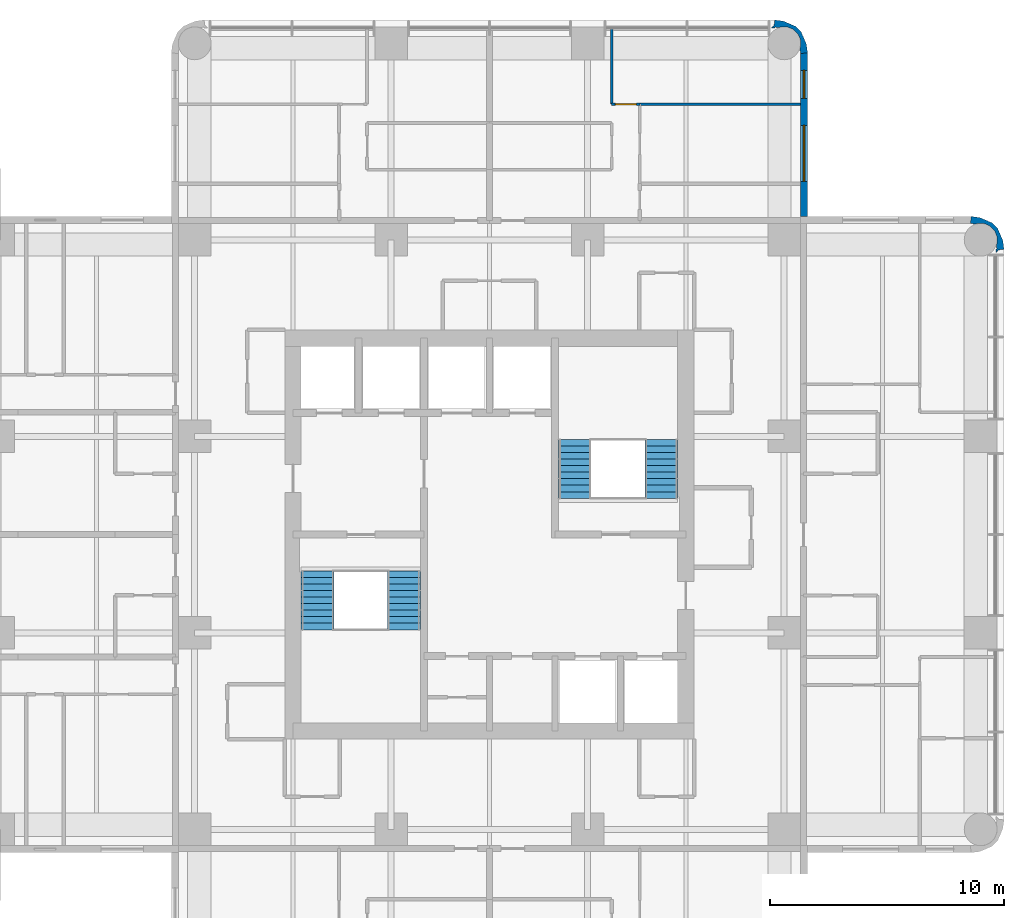
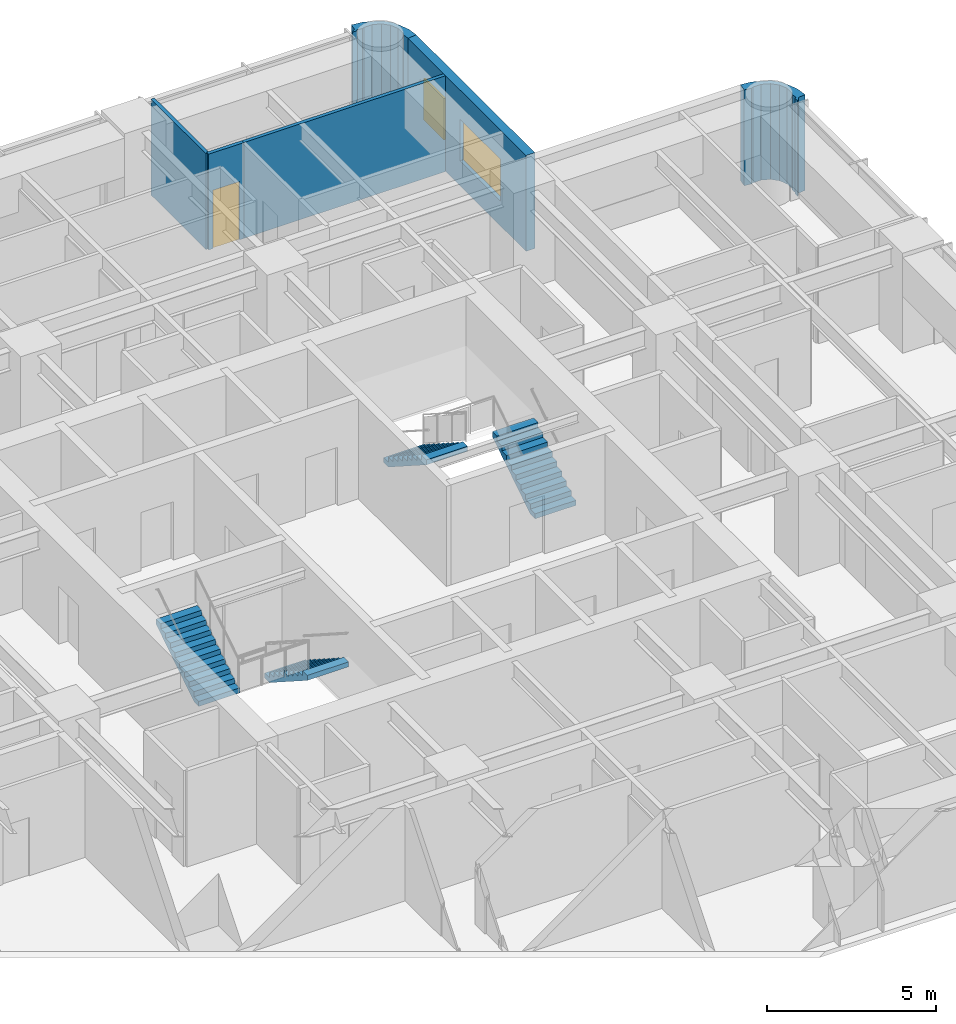
# One storey, part 10 of 11: 6 walls, 4 stair flights, 2 windows, 1 door, 3 openings, 2 elements without a shape of their own.
"""IFC4 building model written with IfcOpenShell, lengths in metres."""

from ifc_helpers import new_model, si_unit, direction, frame, frame_2d, origin, place, context, subcontext, project, spatial, polyline, rectangle, outline, extrude, material, layer, layer_set, type_object, element, fill, aggregate, save


model = new_model("IFC4")

# Units and contexts
model_context = context("Model", 3, precision=1e-05, world=origin(), true_north=direction((0.0, 1.0)))
body_context = subcontext(model_context, "Body", "Model", "MODEL_VIEW")
ifc_project = project(units=[si_unit("LENGTHUNIT", "METRE"), si_unit("AREAUNIT", "SQUARE_METRE"), si_unit("VOLUMEUNIT", "CUBIC_METRE"), si_unit("PLANEANGLEUNIT", "RADIAN"), si_unit("MASSUNIT", "GRAM", prefix="KILO")], contexts=[model_context])

# Site, building, storey
site_placement = place(None, origin())
site = spatial("IfcSite", under=ifc_project, at=site_placement, CompositionType="ELEMENT")
building_placement = place(site_placement, origin())
building = spatial("IfcBuilding", under=site, at=building_placement, Name="Torre Alcanfor", CompositionType="ELEMENT")
storey_placement = place(building_placement, frame((0.0, 0.0, 215.699951171875)))
storey = spatial("IfcBuildingStorey", under=building, at=storey_placement, Name="L56", CompositionType="ELEMENT", Elevation=215.699951171875)

# Wall
ifc_material_1 = material(Name="Gypsum board on steel studs", Category="steel")
ifc_layer_1 = layer(ifc_material_1, 0.1201171875)
ifc_layer_set_1 = layer_set([ifc_layer_1], Name="Apartment partition 120")
wall_type_1 = type_object("IfcWallType", Name="Apartment partition 120", PredefinedType="PARTITIONING", material=ifc_layer_set_1)
wall_1_placement = place(storey_placement, frame((34.62890625, 51.050048828125, 0.0), z_axis=(0.0, 0.0, 1.0), x_axis=(0.0, -1.0, 0.0)))
element("IfcWall", 1, at=wall_1_placement, inside=storey, type_object=wall_type_1, Name="Partition L56-N2-LIVING / L56-N2-MASTER", PredefinedType="PARTITIONING", context=body_context, shape_type="SweptSolid", body=[
    extrude(rectangle(XDim=3.25, YDim=0.1201171875, at=frame_2d((1.625, 0.0))), origin(), (0.0, 0.0, 1.0), 3.449951171875),
])

# Wall, opening, door
wall_2_placement = place(storey_placement, frame((34.62890625, 47.800048828125, 0.0), z_axis=(0.0, 0.0, 1.0), x_axis=(1.0, 0.0, 0.0)))
wall_2 = element("IfcWall", 2, at=wall_2_placement, inside=storey, type_object=wall_type_1, Name="Partition L56-N2-LIVING / L56-N2-MASTER", PredefinedType="PARTITIONING", context=body_context, shape_type="SweptSolid", body=[
    extrude(rectangle(XDim=1.2001953125, YDim=0.1201171875, at=frame_2d((0.60009765625, 0.0))), origin(), (0.0, 0.0, 1.0), 3.449951171875),
])
opening_1_placement = place(wall_2_placement, frame((0.15087890625, 0.0, 0.0)))
opening_1 = element("IfcOpeningElement", 3, at=opening_1_placement, cuts=wall_2, Name="Opening D-R1", PredefinedType="OPENING", context=body_context, shape_type="SweptSolid", body=[
    extrude(rectangle(XDim=0.89990234375, YDim=2.10009765625, at=frame_2d((0.449951171875, 1.050048828125))), frame((0.0, 0.070068359375, 0.0), z_axis=(0.0, -1.0, 0.0), x_axis=(1.0, 0.0, 0.0)), (0.0, 0.0, 1.0), 0.14013671875),
])
ifc_material_2 = material(Name="Timber", Category="wood")
door_type = type_object("IfcDoorType", Name="Internal door 900x2100", OperationType="SINGLE_SWING_LEFT", PredefinedType="DOOR", material=ifc_material_2)
door_placement = place(opening_1_placement, origin())
door = element("IfcDoor", 4, at=door_placement, inside=storey, type_object=door_type, Name="Door L56-N2 master", OperationType="SINGLE_SWING_LEFT", OverallHeight=2.10009765625, OverallWidth=0.89990234375, PredefinedType="DOOR", context=body_context, shape_type="SweptSolid", body=[
    extrude(rectangle(XDim=0.89990234375, YDim=2.10009765625, at=frame_2d((0.449951171875, 1.050048828125))), frame((0.0, 0.02490234375, 0.0), z_axis=(0.0, -1.0, 0.0), x_axis=(1.0, 0.0, 0.0)), (0.0, 0.0, 1.0), 0.050048828125),
])
fill(opening_1, door)

# Wall
wall_3_placement = place(storey_placement, frame((35.8291015625, 47.800048828125, 0.0), z_axis=(0.0, 0.0, 1.0), x_axis=(1.0, 0.0, 0.0)))
element("IfcWall", 5, at=wall_3_placement, inside=storey, type_object=wall_type_1, Name="Partition L56-N2-STUDY / L56-N2-MASTER", PredefinedType="PARTITIONING", context=body_context, shape_type="SweptSolid", body=[
    extrude(rectangle(XDim=6.870849609375, YDim=0.1201171875, at=frame_2d((3.435546875, 0.0))), origin(), (0.0, 0.0, 1.0), 3.449951171875),
])

# Wall, openings, windows
ifc_material_3 = material(Name="Limestone cladding", Category="masonry")
ifc_layer_2 = layer(ifc_material_3, 0.0400390625, Name="Facing")
ifc_material_4 = material(Name="Ventilated air cavity")
ifc_layer_3 = layer(ifc_material_4, 0.02001953125, ventilated=True, Name="Ventilated joint")
ifc_material_5 = material(Name="Mineral wool insulation", Category="insulation")
ifc_layer_4 = layer(ifc_material_5, 0.10009765625, Name="Insulation")
ifc_material_6 = material(Name="Concrete f'c 35 MPa", Category="concrete")
ifc_layer_5 = layer(ifc_material_6, 0.139892578125, Name="Backing")
ifc_layer_set_2 = layer_set([ifc_layer_2, ifc_layer_3, ifc_layer_4, ifc_layer_5], Name="External wall stone-clad 300")
wall_type_2 = type_object("IfcWallType", Name="External wall stone-clad 300", PredefinedType="SOLIDWALL", material=ifc_layer_set_2)
wall_4_placement = place(storey_placement, frame((42.85009765625, 43.0, 0.0), z_axis=(0.0, 0.0, 1.0), x_axis=(0.0, 1.0, 0.0)))
wall_4 = element("IfcWall", 6, at=wall_4_placement, inside=storey, type_object=wall_type_2, Name="External wall L56 10", PredefinedType="SOLIDWALL", context=body_context, shape_type="SweptSolid", body=[
    extrude(rectangle(XDim=7.0, YDim=0.300048828125, at=frame_2d((3.5, 0.0))), origin(), (0.0, 0.0, 1.0), 3.449951171875),
])
opening_2_placement = place(wall_4_placement, frame((1.5, 0.0, 0.89990234375)))
opening_2 = element("IfcOpeningElement", 7, at=opening_2_placement, cuts=wall_4, Name="Opening W1", PredefinedType="OPENING", context=body_context, shape_type="SweptSolid", body=[
    extrude(rectangle(XDim=2.39990234375, YDim=1.5, at=frame_2d((1.199951171875, 0.75))), frame((0.0, 0.159912109375, 0.0), z_axis=(0.0, -1.0, 0.0), x_axis=(1.0, 0.0, 0.0)), (0.0, 0.0, 1.0), 0.320068359375),
])
opening_3_placement = place(wall_4_placement, frame((5.050048828125, 0.0, 0.89990234375)))
opening_3 = element("IfcOpeningElement", 8, at=opening_3_placement, cuts=wall_4, Name="Opening W4", PredefinedType="OPENING", context=body_context, shape_type="SweptSolid", body=[
    extrude(rectangle(XDim=1.199951171875, YDim=1.5, at=frame_2d((0.60009765625, 0.75))), frame((0.0, 0.159912109375, 0.0), z_axis=(0.0, -1.0, 0.0), x_axis=(1.0, 0.0, 0.0)), (0.0, 0.0, 1.0), 0.320068359375),
])
ifc_material_7 = material(Name="Aluminium frame with clear double glazing", Category="aluminium")
window_type_1 = type_object("IfcWindowType", Name="Window bedroom 1200x1500", PartitioningType="SINGLE_PANEL", PredefinedType="WINDOW", material=ifc_material_7)
window_1_placement = place(opening_3_placement, origin())
window_1 = element("IfcWindow", 9, at=window_1_placement, inside=storey, type_object=window_type_1, Name="Window W4 L56-N2", OverallHeight=1.5, OverallWidth=1.199951171875, PartitioningType="SINGLE_PANEL", PredefinedType="WINDOW", context=body_context, shape_type="SweptSolid", body=[
    extrude(rectangle(XDim=1.199951171875, YDim=1.5, at=frame_2d((0.60009765625, 0.75))), frame((0.0, 0.030029296875, 0.0), z_axis=(0.0, -1.0, 0.0), x_axis=(1.0, 0.0, 0.0)), (0.0, 0.0, 1.0), 0.06005859375),
])
fill(opening_3, window_1)
ifc_material_8 = material(Name="Aluminium frame with clear double glazing", Category="aluminium")
window_type_2 = type_object("IfcWindowType", Name="Window bedroom 2400x1500", PartitioningType="SINGLE_PANEL", PredefinedType="WINDOW", material=ifc_material_8)
window_2_placement = place(opening_2_placement, origin())
window_2 = element("IfcWindow", 10, at=window_2_placement, inside=storey, type_object=window_type_2, Name="Window W1 L56-N2", OverallHeight=1.5, OverallWidth=2.39990234375, PartitioningType="SINGLE_PANEL", PredefinedType="WINDOW", context=body_context, shape_type="SweptSolid", body=[
    extrude(rectangle(XDim=2.39990234375, YDim=1.5, at=frame_2d((1.199951171875, 0.75))), frame((0.0, 0.030029296875, 0.0), z_axis=(0.0, -1.0, 0.0), x_axis=(1.0, 0.0, 0.0)), (0.0, 0.0, 1.0), 0.06005859375),
])
fill(opening_2, window_2)

# Walls
ifc_layer_6 = layer(ifc_material_3, 0.0400390625, Name="Facing")
ifc_layer_7 = layer(ifc_material_4, 0.02001953125, ventilated=True, Name="Ventilated joint")
ifc_layer_8 = layer(ifc_material_5, 0.10009765625, Name="Insulation")
ifc_layer_9 = layer(ifc_material_6, 0.139892578125, Name="Backing")
ifc_layer_set_3 = layer_set([ifc_layer_6, ifc_layer_7, ifc_layer_8, ifc_layer_9], Name="Rounded corner pier stone-clad 300")
wall_type_3 = type_object("IfcWallType", Name="Rounded corner pier stone-clad 300", PredefinedType="SOLIDWALL", material=ifc_layer_set_3)
wall_5_placement = place(storey_placement, frame((50.98815184, 41.487674505, 0.0), z_axis=(0.0, 0.0, 1.0), x_axis=(0.898030234854, 0.439933741929, 0.0)))
element("IfcWall", 11, at=wall_5_placement, inside=storey, type_object=wall_type_3, Name="Corner pier L56 18", PredefinedType="SOLIDWALL", context=body_context, shape_type="SweptSolid", body=[
    extrude(outline(polyline([(0.13762845900144902, -0.0395605783475044), (0.18185793649134802, -0.00033087416050568697), (0.41922313919285215, -0.08018355093564442), (0.535860291835806, 0.2661211239178742), (0.5587746083679793, 0.6308813409414961), (0.5545700157158291, 0.6511558966825934), (0.5663920082639611, 0.8356681075750403), (0.45545119814889223, 1.159160361177863), (0.33312688681130387, 1.297925592490813), (0.32402252373636403, 1.3165225487705126), (0.08234923743790223, 1.5906923948786469), (-0.22206721491752535, 1.7928353560160377), (-0.38958661601048106, 1.540782159618673), (-0.3718277173231749, 1.5320822980229156), (-0.19464371431186422, 1.4142897687749243), (-0.11970407362674929, 1.4096575385515544), (0.13067447329798665, 1.2870002306212465), (0.31526160288378063, 1.0777694581339308), (0.4057356995697948, 0.8140544036891404), (0.38812563637514036, 0.5355946934281371), (0.26546832844483254, 0.28521614650340116), (0.2089867161004748, 0.23540500505176065), (0.14757776297591008, 0.05289210976982966), (0.10504410439149783, 0.07372881532016215), (0.03190082356790798, -0.07557748105089318), (0.13762845900144902, -0.0395605783475044)])), origin(), (0.0, 0.0, 1.0), 3.449951171875),
])
wall_6_placement = place(storey_placement, frame((42.724211819, 50.110315272, 0.0), z_axis=(0.0, 0.0, 1.0), x_axis=(0.439933741929, 0.898030234854, 0.0)))
element("IfcWall", 12, at=wall_6_placement, inside=storey, type_object=wall_type_3, Name="Corner pier L56 19", PredefinedType="SOLIDWALL", context=body_context, shape_type="SweptSolid", body=[
    extrude(outline(polyline([(-0.14525732426811072, -0.04414433895897353), (0.0222620768248451, -0.29619753535633836), (0.3266785291802725, -0.09405457421894756), (0.5683518154787345, 0.1801152718891868), (0.5774561785536743, 0.19871222816888634), (0.6997804898912626, 0.33747745948183633), (0.8107213000063315, 0.6609697130846591), (0.7988993074581994, 0.8454819239771059), (0.8031039001103497, 0.8657564797182034), (0.7801895835781762, 1.2305166967418253), (0.6635524309352225, 1.5768213715953436), (0.42618722823371835, 1.496968694820205), (0.38195775074381944, 1.5361983990072037), (0.2762301153102783, 1.5722153017105926), (0.3493733961338682, 1.4229090053395372), (0.39190705471828047, 1.4437457108898697), (0.45331600784284515, 1.2612328156079387), (0.5097976201872029, 1.2114216741562982), (0.6324549281175107, 0.9610431272315622), (0.6500649913121652, 0.6825834169705589), (0.559590894626151, 0.4188683625257686), (0.37500376504035704, 0.20963759003845278), (0.1246252181156211, 0.08698028210814499), (0.04968557743050611, 0.08234805188477495), (-0.12749842558080457, -0.035444477363216154), (-0.14525732426811072, -0.04414433895897353)])), origin(), (0.0, 0.0, 1.0), 3.449951171875),
])

# Stair, stair flights
ifc_material_9 = material(Name="Concrete f'c 35 MPa", Category="concrete")
stair_type_1 = type_object("IfcStairType", Name="Exit stair S1 1400 wide", PredefinedType="HALF_TURN_STAIR", material=ifc_material_9)
stair_1_placement = place(storey_placement, origin())
stair_1 = element("IfcStair", 13, at=stair_1_placement, inside=storey, type_object=stair_type_1, Name="Stair S1 L56 to L57", PredefinedType="HALF_TURN_STAIR")
ifc_material_10 = material(Name="Concrete f'c 35 MPa", Category="concrete")
stair_flight_type = type_object("IfcStairFlightType", Name="Stair flight 1400", PredefinedType="STRAIGHT", material=ifc_material_10)
stair_flight_1_placement = place(storey_placement, frame((25.75, 27.85009765625, 0.0), z_axis=(0.0, 0.0, 1.0), x_axis=(0.0, -1.0, 0.0)))
stair_flight_1 = element("IfcStairFlight", 14, at=stair_flight_1_placement, type_object=stair_flight_type, Name="S1 flight 1", NumberOfRisers=10, NumberOfTreads=9, PredefinedType="STRAIGHT", RiserHeight=0.18, TreadLength=0.28, context=body_context, shape_type="SweptSolid", body=[
    extrude(outline(polyline([(0.0, 0.0), (0.0, 0.179931640625), (0.280029296875, 0.179931640625), (0.280029296875, 0.360107421875), (0.56005859375, 0.360107421875), (0.56005859375, 0.5400390625), (0.840087890625, 0.5400390625), (0.840087890625, 0.719970703125), (1.1201171875, 0.719970703125), (1.1201171875, 0.89990234375), (1.39990234375, 0.89990234375), (1.39990234375, 1.080078125), (1.679931640625, 1.080078125), (1.679931640625, 1.260009765625), (1.9599609375, 1.260009765625), (1.9599609375, 1.43994140625), (2.239990234375, 1.43994140625), (2.239990234375, 1.6201171875), (2.52001953125, 1.6201171875), (2.52001953125, 1.800048828125), (2.52001953125, 1.44189453125), (0.277099609375, 0.0), (0.0, 0.0)])), frame((0.0, 0.699951171875, 0.0), z_axis=(0.0, -1.0, 0.0), x_axis=(1.0, 0.0, 0.0)), (0.0, 0.0, 1.0), 1.39990234375),
])
stair_flight_2_placement = place(storey_placement, frame((22.050048828125, 25.330078125, 1.800048828125), z_axis=(0.0, 0.0, 1.0), x_axis=(0.0, 1.0, 0.0)))
stair_flight_2 = element("IfcStairFlight", 15, at=stair_flight_2_placement, type_object=stair_flight_type, Name="S1 flight 2", NumberOfRisers=10, NumberOfTreads=9, PredefinedType="STRAIGHT", RiserHeight=0.18, TreadLength=0.28, context=body_context, shape_type="SweptSolid", body=[
    extrude(outline(polyline([(0.0, 0.0), (0.0, 0.179931640625), (0.280029296875, 0.179931640625), (0.280029296875, 0.360107421875), (0.56005859375, 0.360107421875), (0.56005859375, 0.5400390625), (0.840087890625, 0.5400390625), (0.840087890625, 0.719970703125), (1.1201171875, 0.719970703125), (1.1201171875, 0.89990234375), (1.39990234375, 0.89990234375), (1.39990234375, 1.080078125), (1.679931640625, 1.080078125), (1.679931640625, 1.260009765625), (1.9599609375, 1.260009765625), (1.9599609375, 1.43994140625), (2.239990234375, 1.43994140625), (2.239990234375, 1.6201171875), (2.52001953125, 1.6201171875), (2.52001953125, 1.800048828125), (2.52001953125, 1.44189453125), (0.277099609375, 0.0), (0.0, 0.0)])), frame((0.0, 0.699951171875, 0.0), z_axis=(0.0, -1.0, 0.0), x_axis=(1.0, 0.0, 0.0)), (0.0, 0.0, 1.0), 1.39990234375),
])
aggregate(stair_1, [stair_flight_1, stair_flight_2])

ifc_material_11 = material(Name="Concrete f'c 35 MPa", Category="concrete")
stair_type_2 = type_object("IfcStairType", Name="Exit stair S2 1400 wide", PredefinedType="HALF_TURN_STAIR", material=ifc_material_11)
stair_2_placement = place(storey_placement, origin())
stair_2 = element("IfcStair", 16, at=stair_2_placement, inside=storey, type_object=stair_type_2, Name="Stair S2 L56 to L57", PredefinedType="HALF_TURN_STAIR")
stair_flight_3_placement = place(storey_placement, frame((36.75, 30.949951171875, 0.0), z_axis=(0.0, 0.0, 1.0), x_axis=(0.0, 1.0, 0.0)))
stair_flight_3 = element("IfcStairFlight", 17, at=stair_flight_3_placement, type_object=stair_flight_type, Name="S2 flight 1", NumberOfRisers=10, NumberOfTreads=9, PredefinedType="STRAIGHT", RiserHeight=0.18, TreadLength=0.28, context=body_context, shape_type="SweptSolid", body=[
    extrude(outline(polyline([(0.0, 0.0), (0.0, 0.179931640625), (0.280029296875, 0.179931640625), (0.280029296875, 0.360107421875), (0.56005859375, 0.360107421875), (0.56005859375, 0.5400390625), (0.840087890625, 0.5400390625), (0.840087890625, 0.719970703125), (1.1201171875, 0.719970703125), (1.1201171875, 0.89990234375), (1.39990234375, 0.89990234375), (1.39990234375, 1.080078125), (1.679931640625, 1.080078125), (1.679931640625, 1.260009765625), (1.9599609375, 1.260009765625), (1.9599609375, 1.43994140625), (2.239990234375, 1.43994140625), (2.239990234375, 1.6201171875), (2.52001953125, 1.6201171875), (2.52001953125, 1.800048828125), (2.52001953125, 1.44189453125), (0.277099609375, 0.0), (0.0, 0.0)])), frame((0.0, 0.699951171875, 0.0), z_axis=(0.0, -1.0, 0.0), x_axis=(1.0, 0.0, 0.0)), (0.0, 0.0, 1.0), 1.39990234375),
])
stair_flight_4_placement = place(storey_placement, frame((33.050048828125, 33.469970703125, 1.800048828125), z_axis=(0.0, 0.0, 1.0), x_axis=(0.0, -1.0, 0.0)))
stair_flight_4 = element("IfcStairFlight", 18, at=stair_flight_4_placement, type_object=stair_flight_type, Name="S2 flight 2", NumberOfRisers=10, NumberOfTreads=9, PredefinedType="STRAIGHT", RiserHeight=0.18, TreadLength=0.28, context=body_context, shape_type="SweptSolid", body=[
    extrude(outline(polyline([(0.0, 0.0), (0.0, 0.179931640625), (0.280029296875, 0.179931640625), (0.280029296875, 0.360107421875), (0.56005859375, 0.360107421875), (0.56005859375, 0.5400390625), (0.840087890625, 0.5400390625), (0.840087890625, 0.719970703125), (1.1201171875, 0.719970703125), (1.1201171875, 0.89990234375), (1.39990234375, 0.89990234375), (1.39990234375, 1.080078125), (1.679931640625, 1.080078125), (1.679931640625, 1.260009765625), (1.9599609375, 1.260009765625), (1.9599609375, 1.43994140625), (2.239990234375, 1.43994140625), (2.239990234375, 1.6201171875), (2.52001953125, 1.6201171875), (2.52001953125, 1.800048828125), (2.52001953125, 1.44189453125), (0.277099609375, 0.0), (0.0, 0.0)])), frame((0.0, 0.699951171875, 0.0), z_axis=(0.0, -1.0, 0.0), x_axis=(1.0, 0.0, 0.0)), (0.0, 0.0, 1.0), 1.39990234375),
])
aggregate(stair_2, [stair_flight_3, stair_flight_4])

save(model, "model.ifc")
